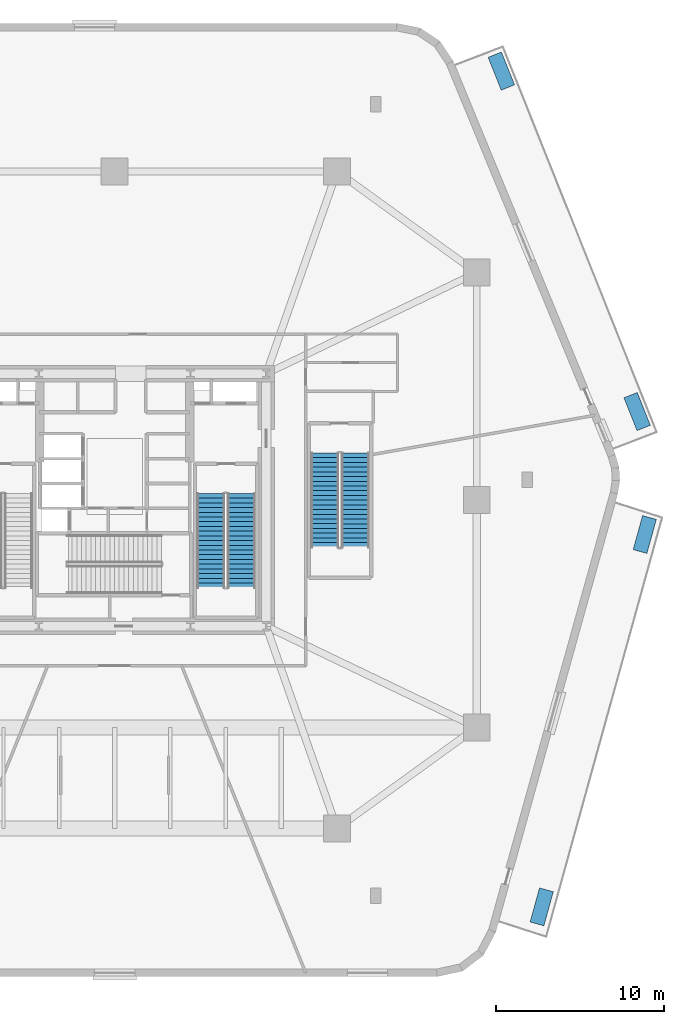
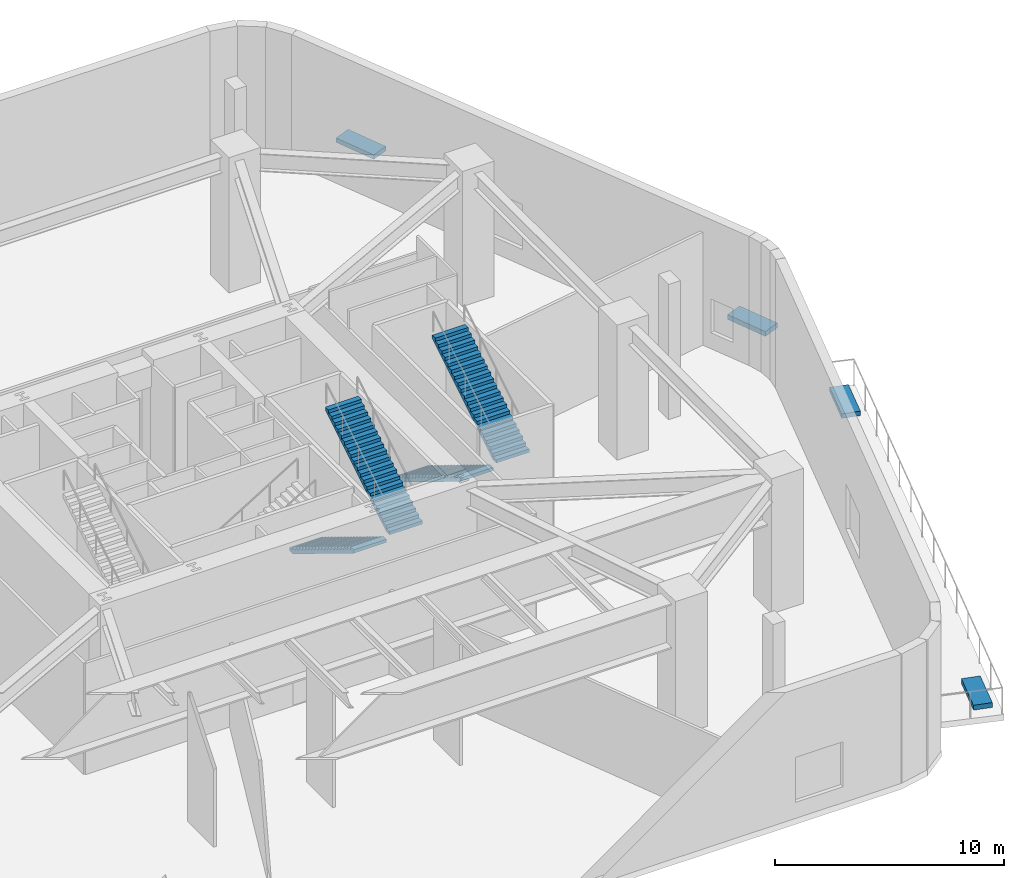
# One storey, part 13 of 17: 4 discrete accessories, 4 stair flights, 2 elements without a shape of their own.
"""IFC4 building model written with IfcOpenShell, lengths in metres."""

from ifc_helpers import new_model, si_unit, direction, frame, origin, origin_2d, place, context, subcontext, project, spatial, polyline, rectangle, outline, extrude, material, type_object, element, aggregate, save


model = new_model("IFC4")

# Units and contexts
model_context = context("Model", 3, precision=1e-05, world=origin(), true_north=direction((0.0, 1.0)))
body_context = subcontext(model_context, "Body", "Model", "MODEL_VIEW")
ifc_project = project(units=[si_unit("LENGTHUNIT", "METRE"), si_unit("AREAUNIT", "SQUARE_METRE"), si_unit("VOLUMEUNIT", "CUBIC_METRE"), si_unit("PLANEANGLEUNIT", "RADIAN"), si_unit("MASSUNIT", "GRAM", prefix="KILO")], contexts=[model_context])

# Site, building, storey
site_placement = place(None, origin())
site = spatial("IfcSite", under=ifc_project, at=site_placement, CompositionType="ELEMENT")
building_placement = place(site_placement, origin())
building = spatial("IfcBuilding", under=site, at=building_placement, Name="Kilnhurst Terrace Hotel", CompositionType="ELEMENT")
storey_placement = place(building_placement, frame((0.0, 0.0, 11.39990234375)))
storey = spatial("IfcBuildingStorey", under=building, at=storey_placement, Name="L02", CompositionType="ELEMENT", Elevation=11.39990234375)

# Stair, stair flights
ifc_material_1 = material(Name="Concrete C50/60", Category="concrete")
stair_type_1 = type_object("IfcStairType", Name="STR-CORE-1660", PredefinedType="HALF_TURN_STAIR", material=ifc_material_1)
stair_1_placement = place(storey_placement, origin())
stair_1 = element("IfcStair", 1, at=stair_1_placement, inside=storey, type_object=stair_type_1, Name="L02 ST-2", PredefinedType="HALF_TURN_STAIR")
stair_flight_type = type_object("IfcStairFlightType", Name="FLT-RC-1660", PredefinedType="STRAIGHT", material=ifc_material_1)
stair_flight_1_placement = place(storey_placement, frame((5.7099609375, 0.389892578125, 0.0), z_axis=(0.0, 0.0, 1.0), x_axis=(0.0, -1.0, 0.0)))
stair_flight_1 = element("IfcStairFlight", 2, at=stair_flight_1_placement, type_object=stair_flight_type, Name="ST-2 flight 1", NumberOfRisers=21, NumberOfTreads=20, PredefinedType="STRAIGHT", RiserHeight=0.171428571, TreadLength=0.28, context=body_context, shape_type="SweptSolid", body=[
    extrude(outline(polyline([(0.0, 0.0), (0.0, 0.17138671875), (0.280029296875, 0.17138671875), (0.280029296875, 0.3427734375), (0.56005859375, 0.3427734375), (0.56005859375, 0.514404296875), (0.840087890625, 0.514404296875), (0.840087890625, 0.685791015625), (1.1201171875, 0.685791015625), (1.1201171875, 0.857177734375), (1.39990234375, 0.857177734375), (1.39990234375, 1.028564453125), (1.679931640625, 1.028564453125), (1.679931640625, 1.199951171875), (1.9599609375, 1.199951171875), (1.9599609375, 1.371337890625), (2.239990234375, 1.371337890625), (2.239990234375, 1.54296875), (2.52001953125, 1.54296875), (2.52001953125, 1.71435546875), (2.800048828125, 1.71435546875), (2.800048828125, 1.8857421875), (3.080078125, 1.8857421875), (3.080078125, 2.05712890625), (3.360107421875, 2.05712890625), (3.360107421875, 2.228515625), (3.639892578125, 2.228515625), (3.639892578125, 2.39990234375), (3.919921875, 2.39990234375), (3.919921875, 2.571533203125), (4.199951171875, 2.571533203125), (4.199951171875, 2.742919921875), (4.47998046875, 2.742919921875), (4.47998046875, 2.914306640625), (4.760009765625, 2.914306640625), (4.760009765625, 3.085693359375), (5.0400390625, 3.085693359375), (5.0400390625, 3.257080078125), (5.320068359375, 3.257080078125), (5.320068359375, 3.428466796875), (5.60009765625, 3.428466796875), (5.60009765625, 3.60009765625), (5.60009765625, 3.252685546875), (0.287109375, 0.0), (0.0, 0.0)])), frame((0.0, 0.830078125, 0.0), z_axis=(0.0, -1.0, 0.0), x_axis=(1.0, 0.0, 0.0)), (0.0, 0.0, 1.0), 1.659912109375),
])
stair_flight_2_placement = place(storey_placement, frame((7.52001953125, -5.2099609375, 3.60009765625), z_axis=(0.0, 0.0, 1.0), x_axis=(0.0, 1.0, 0.0)))
stair_flight_2 = element("IfcStairFlight", 3, at=stair_flight_2_placement, type_object=stair_flight_type, Name="ST-2 flight 2", NumberOfRisers=21, NumberOfTreads=20, PredefinedType="STRAIGHT", RiserHeight=0.171428571, TreadLength=0.28, context=body_context, shape_type="SweptSolid", body=[
    extrude(outline(polyline([(0.0, 0.0), (0.0, 0.17138671875), (0.280029296875, 0.17138671875), (0.280029296875, 0.3427734375), (0.56005859375, 0.3427734375), (0.56005859375, 0.514404296875), (0.840087890625, 0.514404296875), (0.840087890625, 0.685791015625), (1.1201171875, 0.685791015625), (1.1201171875, 0.857177734375), (1.39990234375, 0.857177734375), (1.39990234375, 1.028564453125), (1.679931640625, 1.028564453125), (1.679931640625, 1.199951171875), (1.9599609375, 1.199951171875), (1.9599609375, 1.371337890625), (2.239990234375, 1.371337890625), (2.239990234375, 1.54296875), (2.52001953125, 1.54296875), (2.52001953125, 1.71435546875), (2.800048828125, 1.71435546875), (2.800048828125, 1.8857421875), (3.080078125, 1.8857421875), (3.080078125, 2.05712890625), (3.360107421875, 2.05712890625), (3.360107421875, 2.228515625), (3.639892578125, 2.228515625), (3.639892578125, 2.39990234375), (3.919921875, 2.39990234375), (3.919921875, 2.571533203125), (4.199951171875, 2.571533203125), (4.199951171875, 2.742919921875), (4.47998046875, 2.742919921875), (4.47998046875, 2.914306640625), (4.760009765625, 2.914306640625), (4.760009765625, 3.085693359375), (5.0400390625, 3.085693359375), (5.0400390625, 3.257080078125), (5.320068359375, 3.257080078125), (5.320068359375, 3.428466796875), (5.60009765625, 3.428466796875), (5.60009765625, 3.60009765625), (5.60009765625, 3.252685546875), (0.287109375, 0.0), (0.0, 0.0)])), frame((0.0, 0.830078125, 0.0), z_axis=(0.0, -1.0, 0.0), x_axis=(1.0, 0.0, 0.0)), (0.0, 0.0, 1.0), 1.659912109375),
])
aggregate(stair_1, [stair_flight_1, stair_flight_2])

ifc_material_2 = material(Name="Concrete C40/50", Category="concrete")
stair_type_2 = type_object("IfcStairType", Name="STR-POD-1660", PredefinedType="HALF_TURN_STAIR", material=ifc_material_2)
stair_2_placement = place(storey_placement, origin())
stair_2 = element("IfcStair", 4, at=stair_2_placement, inside=storey, type_object=stair_type_2, Name="L02 ST-4", PredefinedType="HALF_TURN_STAIR")
stair_flight_3_placement = place(storey_placement, frame((12.47998046875, 2.7900390625, 0.0), z_axis=(0.0, 0.0, 1.0), x_axis=(0.0, -1.0, 0.0)))
stair_flight_3 = element("IfcStairFlight", 5, at=stair_flight_3_placement, type_object=stair_flight_type, Name="ST-4 flight 1", NumberOfRisers=21, NumberOfTreads=20, PredefinedType="STRAIGHT", RiserHeight=0.171428571, TreadLength=0.28, context=body_context, shape_type="SweptSolid", body=[
    extrude(outline(polyline([(0.0, 0.0), (0.0, 0.17138671875), (0.280029296875, 0.17138671875), (0.280029296875, 0.3427734375), (0.56005859375, 0.3427734375), (0.56005859375, 0.514404296875), (0.840087890625, 0.514404296875), (0.840087890625, 0.685791015625), (1.1201171875, 0.685791015625), (1.1201171875, 0.857177734375), (1.39990234375, 0.857177734375), (1.39990234375, 1.028564453125), (1.679931640625, 1.028564453125), (1.679931640625, 1.199951171875), (1.9599609375, 1.199951171875), (1.9599609375, 1.371337890625), (2.239990234375, 1.371337890625), (2.239990234375, 1.54296875), (2.52001953125, 1.54296875), (2.52001953125, 1.71435546875), (2.800048828125, 1.71435546875), (2.800048828125, 1.8857421875), (3.080078125, 1.8857421875), (3.080078125, 2.05712890625), (3.360107421875, 2.05712890625), (3.360107421875, 2.228515625), (3.639892578125, 2.228515625), (3.639892578125, 2.39990234375), (3.919921875, 2.39990234375), (3.919921875, 2.571533203125), (4.199951171875, 2.571533203125), (4.199951171875, 2.742919921875), (4.47998046875, 2.742919921875), (4.47998046875, 2.914306640625), (4.760009765625, 2.914306640625), (4.760009765625, 3.085693359375), (5.0400390625, 3.085693359375), (5.0400390625, 3.257080078125), (5.320068359375, 3.257080078125), (5.320068359375, 3.428466796875), (5.60009765625, 3.428466796875), (5.60009765625, 3.60009765625), (5.60009765625, 3.252685546875), (0.287109375, 0.0), (0.0, 0.0)])), frame((0.0, 0.830078125, 0.0), z_axis=(0.0, -1.0, 0.0), x_axis=(1.0, 0.0, 0.0)), (0.0, 0.0, 1.0), 1.659912109375),
])
stair_flight_4_placement = place(storey_placement, frame((14.2900390625, -2.81005859375, 3.60009765625), z_axis=(0.0, 0.0, 1.0), x_axis=(0.0, 1.0, 0.0)))
stair_flight_4 = element("IfcStairFlight", 6, at=stair_flight_4_placement, type_object=stair_flight_type, Name="ST-4 flight 2", NumberOfRisers=21, NumberOfTreads=20, PredefinedType="STRAIGHT", RiserHeight=0.171428571, TreadLength=0.28, context=body_context, shape_type="SweptSolid", body=[
    extrude(outline(polyline([(0.0, 0.0), (0.0, 0.17138671875), (0.280029296875, 0.17138671875), (0.280029296875, 0.3427734375), (0.56005859375, 0.3427734375), (0.56005859375, 0.514404296875), (0.840087890625, 0.514404296875), (0.840087890625, 0.685791015625), (1.1201171875, 0.685791015625), (1.1201171875, 0.857177734375), (1.39990234375, 0.857177734375), (1.39990234375, 1.028564453125), (1.679931640625, 1.028564453125), (1.679931640625, 1.199951171875), (1.9599609375, 1.199951171875), (1.9599609375, 1.371337890625), (2.239990234375, 1.371337890625), (2.239990234375, 1.54296875), (2.52001953125, 1.54296875), (2.52001953125, 1.71435546875), (2.800048828125, 1.71435546875), (2.800048828125, 1.8857421875), (3.080078125, 1.8857421875), (3.080078125, 2.05712890625), (3.360107421875, 2.05712890625), (3.360107421875, 2.228515625), (3.639892578125, 2.228515625), (3.639892578125, 2.39990234375), (3.919921875, 2.39990234375), (3.919921875, 2.571533203125), (4.199951171875, 2.571533203125), (4.199951171875, 2.742919921875), (4.47998046875, 2.742919921875), (4.47998046875, 2.914306640625), (4.760009765625, 2.914306640625), (4.760009765625, 3.085693359375), (5.0400390625, 3.085693359375), (5.0400390625, 3.257080078125), (5.320068359375, 3.257080078125), (5.320068359375, 3.428466796875), (5.60009765625, 3.428466796875), (5.60009765625, 3.60009765625), (5.60009765625, 3.252685546875), (0.287109375, 0.0), (0.0, 0.0)])), frame((0.0, 0.830078125, 0.0), z_axis=(0.0, -1.0, 0.0), x_axis=(1.0, 0.0, 0.0)), (0.0, 0.0, 1.0), 1.659912109375),
])
aggregate(stair_2, [stair_flight_3, stair_flight_4])

# Discrete accessories
ifc_material_3 = material(Name="Precast Concrete C40/50 Shrub Planter", Category="concrete")
discrete_accessory_type_1 = type_object("IfcDiscreteAccessoryType", Name="PLN-SHRUB-240", PredefinedType="USERDEFINED", material=ifc_material_3)
for number, where, z_axis, x_axis, name in (
    (7, (31.47509765625, -2.048583984375, 0.0), (0.0, 0.0, 1.0), (0.266716962739, 0.963774902032, 0.0), "L02 Structural Tree Planter Box PLANTER TERR-1.2"),
    (8, (22.9599609375, 25.46435546875, 0.0), (0.0, 0.0, 1.0), (-0.370541226669, 0.928816020178, 0.0), "L02 Structural Tree Planter Box PLANTER TERR-2.2"),
):
    element("IfcDiscreteAccessory", number, at=place(storey_placement, frame(where, z_axis=z_axis, x_axis=x_axis)), inside=storey, type_object=discrete_accessory_type_1, Name=name, ObjectType="PLANTER", PredefinedType="USERDEFINED", context=body_context, shape_type="SweptSolid", body=[
        extrude(rectangle(XDim=2.10009765625, YDim=0.85009765625, at=origin_2d()), origin(), (0.0, 0.0, 1.0), 0.239990234375),
    ])
ifc_material_4 = material(Name="Precast Concrete C40/50 Tree Planter", Category="concrete")
discrete_accessory_type_2 = type_object("IfcDiscreteAccessoryType", Name="PLN-TREE-260", PredefinedType="USERDEFINED", material=ifc_material_4)
for number, where, z_axis, x_axis, name in (
    (9, (25.3564453125, -24.1572265625, 0.0), (0.0, 0.0, 1.0), (0.266716962739, 0.963774902032, 0.0), "L02 Structural Tree Planter Box PLANTER TERR-1.1"),
    (10, (31.024169921875, 5.250732421875, 0.0), (0.0, 0.0, 1.0), (-0.370541226669, 0.928816020178, 0.0), "L02 Structural Tree Planter Box PLANTER TERR-2.1"),
):
    element("IfcDiscreteAccessory", number, at=place(storey_placement, frame(where, z_axis=z_axis, x_axis=x_axis)), inside=storey, type_object=discrete_accessory_type_2, Name=name, ObjectType="PLANTER", PredefinedType="USERDEFINED", context=body_context, shape_type="SweptSolid", body=[
        extrude(rectangle(XDim=2.10009765625, YDim=0.85009765625, at=origin_2d()), origin(), (0.0, 0.0, 1.0), 0.260009765625),
    ])

save(model, "model.ifc")
